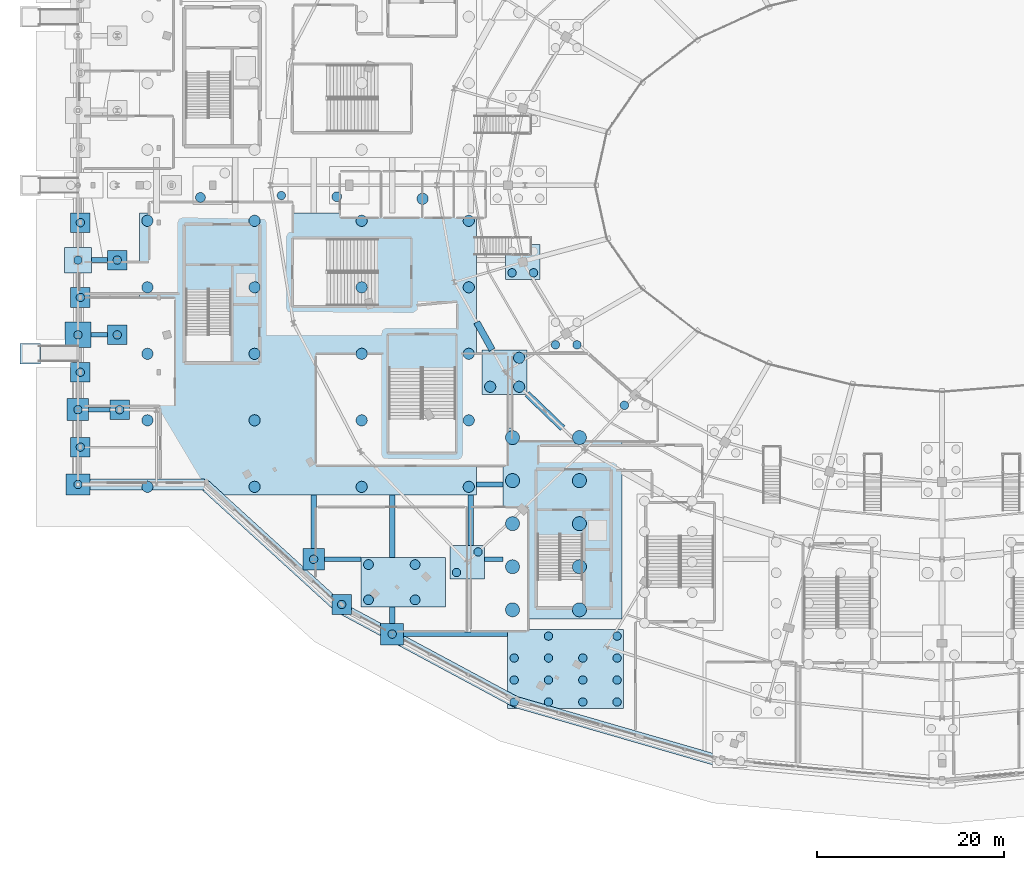
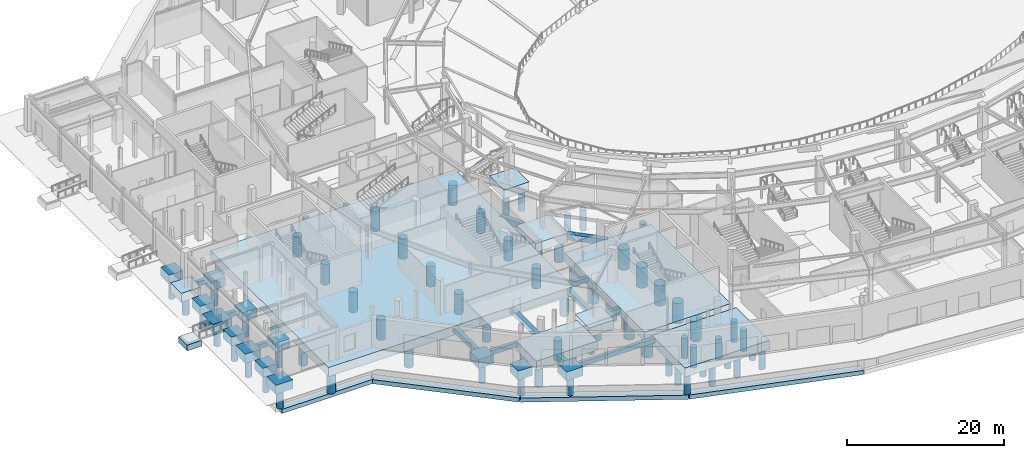
# One storey, part 1 of 93: 76 piles, 39 footings.
"""IFC4 building model written with IfcOpenShell, lengths in metres."""

from ifc_helpers import new_model, si_unit, direction, frame, origin, origin_2d, place, context, subcontext, project, spatial, polyline, rectangle, circle, outline, extrude, material, material_profile, profile_set, type_object, element, save


model = new_model("IFC4")

# Units and contexts
model_context = context("Model", 3, precision=1e-05, world=origin(), true_north=direction((0.0, 1.0)))
body_context = subcontext(model_context, "Body", "Model", "MODEL_VIEW")
ifc_project = project(units=[si_unit("LENGTHUNIT", "METRE"), si_unit("AREAUNIT", "SQUARE_METRE"), si_unit("VOLUMEUNIT", "CUBIC_METRE"), si_unit("PLANEANGLEUNIT", "RADIAN"), si_unit("MASSUNIT", "GRAM", prefix="KILO")], contexts=[model_context])

# Site, building, storey
site_placement = place(None, origin())
site = spatial("IfcSite", under=ifc_project, at=site_placement, CompositionType="ELEMENT")
building_placement = place(site_placement, origin())
building = spatial("IfcBuilding", under=site, at=building_placement, Name="Kalgoora Escarpment Arena", CompositionType="ELEMENT")
storey_placement = place(building_placement, origin())
storey = spatial("IfcBuildingStorey", under=building, at=storey_placement, Name="L00", CompositionType="ELEMENT", Elevation=0.0)

# Footings
ifc_material_1 = material(Name="Concrete N40 (fc' 40 MPa)", Category="concrete")
ifc_material_profile_1 = material_profile(ifc_material_1, rectangle(XDim=0.5, YDim=0.699951171875, at=origin_2d()))
ifc_profile_set_1 = profile_set([ifc_material_profile_1], Name="Concrete N40 (fc' 40 MPa)")
footing_type_1 = type_object("IfcFootingType", Name="FTG-GB700x500", PredefinedType="FOOTING_BEAM", material=ifc_profile_set_1)
footing_1_placement = place(storey_placement, frame((34.830078125, 16.0, -0.35009765625), z_axis=(1.0, 0.0, 0.0), x_axis=(0.0, 1.0, 0.0)))
element("IfcFooting", 1, at=footing_1_placement, inside=storey, type_object=footing_type_1, Name="Ground tie beam GB-072", PredefinedType="FOOTING_BEAM", context=body_context, shape_type="SweptSolid", body=[
    extrude(rectangle(XDim=0.5, YDim=0.699951171875, at=origin_2d()), origin(), (0.0, 0.0, 1.0), 11.119873046875),
])
footing_2_placement = place(storey_placement, frame((26.35009765625, 24.0, -0.35009765625), z_axis=(1.0, 0.0, 0.0), x_axis=(0.0, 1.0, 0.0)))
element("IfcFooting", 2, at=footing_2_placement, inside=storey, type_object=footing_type_1, Name="Ground tie beam GB-078", PredefinedType="FOOTING_BEAM", context=body_context, shape_type="SweptSolid", body=[
    extrude(rectangle(XDim=0.5, YDim=0.699951171875, at=origin_2d()), origin(), (0.0, 0.0, 1.0), 3.93994140625),
])
footing_3_placement = place(storey_placement, frame((43.47998046875, 24.0, -0.35009765625), z_axis=(1.0, 0.0, 0.0), x_axis=(0.0, 1.0, 0.0)))
element("IfcFooting", 3, at=footing_3_placement, inside=storey, type_object=footing_type_1, Name="Ground tie beam GB-079", PredefinedType="FOOTING_BEAM", context=body_context, shape_type="SweptSolid", body=[
    extrude(rectangle(XDim=0.5, YDim=0.699951171875, at=origin_2d()), origin(), (0.0, 0.0, 1.0), 1.989990234375),
])
footing_4_placement = place(storey_placement, frame((42.639892578125, 32.0, -0.35009765625), z_axis=(1.0, 0.0, 0.0), x_axis=(0.0, 1.0, 0.0)))
element("IfcFooting", 4, at=footing_4_placement, inside=storey, type_object=footing_type_1, Name="Ground tie beam GB-085", PredefinedType="FOOTING_BEAM", context=body_context, shape_type="SweptSolid", body=[
    extrude(rectangle(XDim=0.5, YDim=0.699951171875, at=origin_2d()), origin(), (0.0, 0.0, 1.0), 2.830078125),
])
footing_5_placement = place(storey_placement, frame((1.14990234375, 40.0, -0.35009765625), z_axis=(1.0, 0.0, 0.0), x_axis=(0.0, 1.0, 0.0)))
element("IfcFooting", 5, at=footing_5_placement, inside=storey, type_object=footing_type_1, Name="Ground tie beam GB-090", PredefinedType="FOOTING_BEAM", context=body_context, shape_type="SweptSolid", body=[
    extrude(rectangle(XDim=0.5, YDim=0.699951171875, at=origin_2d()), origin(), (0.0, 0.0, 1.0), 2.25),
])
footing_6_placement = place(storey_placement, frame((1.39990234375, 48.0, -0.35009765625), z_axis=(1.0, 0.0, 0.0), x_axis=(0.0, 1.0, 0.0)))
element("IfcFooting", 6, at=footing_6_placement, inside=storey, type_object=footing_type_1, Name="Ground tie beam GB-094", PredefinedType="FOOTING_BEAM", context=body_context, shape_type="SweptSolid", body=[
    extrude(rectangle(XDim=0.5, YDim=0.699951171875, at=origin_2d()), origin(), (0.0, 0.0, 1.0), 1.75),
])
footing_7_placement = place(storey_placement, frame((1.43994140625, 56.0, -0.35009765625), z_axis=(1.0, 0.0, 0.0), x_axis=(0.0, 1.0, 0.0)))
element("IfcFooting", 7, at=footing_7_placement, inside=storey, type_object=footing_type_1, Name="Ground tie beam GB-099", PredefinedType="FOOTING_BEAM", context=body_context, shape_type="SweptSolid", body=[
    extrude(rectangle(XDim=0.5, YDim=0.699951171875, at=origin_2d()), origin(), (0.0, 0.0, 1.0), 1.7099609375),
])
ifc_material_2 = material(Name="Concrete N40 (fc' 40 MPa)", Category="concrete")
ifc_material_profile_2 = material_profile(ifc_material_2, rectangle(XDim=0.60009765625, YDim=0.800048828125, at=origin_2d()))
ifc_profile_set_2 = profile_set([ifc_material_profile_2], Name="Concrete N40 (fc' 40 MPa)")
footing_type_2 = type_object("IfcFootingType", Name="FTG-GB800x600", PredefinedType="FOOTING_BEAM", material=ifc_profile_set_2)
footing_8_placement = place(storey_placement, frame((25.199951171875, 25.139892578125, -0.39990234375), z_axis=(0.0, 1.0, 0.0), x_axis=(-1.0, 0.0, 0.0)))
element("IfcFooting", 8, at=footing_8_placement, inside=storey, type_object=footing_type_2, Name="Ground tie beam GB-025", PredefinedType="FOOTING_BEAM", context=body_context, shape_type="SweptSolid", body=[
    extrude(rectangle(XDim=0.60009765625, YDim=0.800048828125, at=origin_2d()), origin(), (0.0, 0.0, 1.0), 5.760009765625),
])
footing_9_placement = place(storey_placement, frame((33.60009765625, 17.139892578125, -0.39990234375), z_axis=(0.0, 1.0, 0.0), x_axis=(-1.0, 0.0, 0.0)))
element("IfcFooting", 9, at=footing_9_placement, inside=storey, type_object=footing_type_2, Name="Ground tie beam GB-028", PredefinedType="FOOTING_BEAM", context=body_context, shape_type="SweptSolid", body=[
    extrude(rectangle(XDim=0.60009765625, YDim=0.800048828125, at=origin_2d()), origin(), (0.0, 0.0, 1.0), 1.75),
])
footing_10_placement = place(storey_placement, frame((33.60009765625, 24.2099609375, -0.39990234375), z_axis=(0.0, 1.0, 0.0), x_axis=(-1.0, 0.0, 0.0)))
element("IfcFooting", 10, at=footing_10_placement, inside=storey, type_object=footing_type_2, Name="Ground tie beam GB-029", PredefinedType="FOOTING_BEAM", context=body_context, shape_type="SweptSolid", body=[
    extrude(rectangle(XDim=0.60009765625, YDim=0.800048828125, at=origin_2d()), origin(), (0.0, 0.0, 1.0), 6.68994140625),
])
footing_11_placement = place(storey_placement, frame((42.0, 25.489990234375, -0.39990234375), z_axis=(0.0, 1.0, 0.0), x_axis=(-1.0, 0.0, 0.0)))
element("IfcFooting", 11, at=footing_11_placement, inside=storey, type_object=footing_type_2, Name="Ground tie beam GB-033", PredefinedType="FOOTING_BEAM", context=body_context, shape_type="SweptSolid", body=[
    extrude(rectangle(XDim=0.60009765625, YDim=0.800048828125, at=origin_2d()), origin(), (0.0, 0.0, 1.0), 5.409912109375),
])
ifc_material_3 = material(Name="Concrete N40 (fc' 40 MPa)", Category="concrete")
ifc_material_profile_3 = material_profile(ifc_material_3, rectangle(XDim=0.699951171875, YDim=0.89990234375, at=origin_2d()))
ifc_profile_set_3 = profile_set([ifc_material_profile_3], Name="Concrete N40 (fc' 40 MPa)")
footing_type_3 = type_object("IfcFootingType", Name="FTG-GB900x700", PredefinedType="FOOTING_BEAM", material=ifc_profile_set_3)
footing_12_placement = place(storey_placement, frame((42.639892578125, 49.355224609375, -0.449951171875), z_axis=(0.488065357667, -0.872807084438, 0.0), x_axis=(0.872807084438, 0.488065357667, 0.0)))
element("IfcFooting", 12, at=footing_12_placement, inside=storey, type_object=footing_type_3, Name="Ground tie beam GB-012", PredefinedType="FOOTING_BEAM", context=body_context, shape_type="SweptSolid", body=[
    extrude(rectangle(XDim=0.699951171875, YDim=0.89990234375, at=origin_2d()), origin(), (0.0, 0.0, 1.0), 3.385986328125),
])
footing_13_placement = place(storey_placement, frame((48.030029296875, 41.6875, -0.449951171875), z_axis=(0.719457224387, -0.694536753727, 0.0), x_axis=(0.694536753727, 0.719457224387, 0.0)))
element("IfcFooting", 13, at=footing_13_placement, inside=storey, type_object=footing_type_3, Name="Ground tie beam GB-013", PredefinedType="FOOTING_BEAM", context=body_context, shape_type="SweptSolid", body=[
    extrude(rectangle(XDim=0.699951171875, YDim=0.89990234375, at=origin_2d()), origin(), (0.0, 0.0, 1.0), 5.280517578125),
])
ifc_material_4 = material(Name="Concrete N40 (fc' 40 MPa)", Category="concrete")
footing_type_4 = type_object("IfcFootingType", Name="FTG-PC-1240x845", PredefinedType="PILE_CAP", material=ifc_material_4)
footing_14_placement = place(storey_placement, frame((52.14990234375, 12.264892578125, -1.39990234375), z_axis=(0.0, 0.0, 1.0), x_axis=(1.0, 0.0, 0.0)))
element("IfcFooting", 14, at=footing_14_placement, inside=storey, type_object=footing_type_4, Name="Pile cap FND-COL-RCONC2-R17", PredefinedType="PILE_CAP", context=body_context, shape_type="SweptSolid", body=[
    extrude(rectangle(XDim=12.39990234375, YDim=8.449951171875, at=origin_2d()), origin(), (0.0, 0.0, 1.0), 1.39990234375),
])
ifc_material_5 = material(Name="Concrete N40 (fc' 40 MPa)", Category="concrete")
footing_type_5 = type_object("IfcFootingType", Name="FTG-PC-1273x2042", PredefinedType="PILE_CAP", material=ifc_material_5)
footing_15_placement = place(storey_placement, frame((51.8349609375, 27.81005859375, -1.39990234375), z_axis=(0.0, 0.0, 1.0), x_axis=(1.0, 0.0, 0.0)))
element("IfcFooting", 15, at=footing_15_placement, inside=storey, type_object=footing_type_5, Name="Pile cap FND-RAFT-C5", PredefinedType="PILE_CAP", context=body_context, shape_type="SweptSolid", body=[
    extrude(rectangle(XDim=12.72998046875, YDim=20.419921875, at=origin_2d()), origin(), (0.0, 0.0, 1.0), 1.39990234375),
])
ifc_material_6 = material(Name="Concrete N40 (fc' 40 MPa)", Category="concrete")
footing_type_6 = type_object("IfcFootingType", Name="FTG-PC-210x210", PredefinedType="PILE_CAP", material=ifc_material_6)
for number, where, z_axis, x_axis, name in (
    (16, (4.199951171875, 48.0, -1.39990234375), (0.0, 0.0, 1.0), (1.0, 0.0, 0.0), "Pile cap FND-COL-CAN-IN-48"),
    (17, (4.199951171875, 56.0, -1.39990234375), (0.0, 0.0, 1.0), (1.0, 0.0, 0.0), "Pile cap FND-COL-CAN-IN-56"),
    (18, (0.25, 36.0, -1.39990234375), (0.0, 0.0, 1.0), (1.0, 0.0, 0.0), "Pile cap FND-PIL-001"),
    (19, (0.25, 44.0, -1.39990234375), (0.0, 0.0, 1.0), (1.0, 0.0, 0.0), "Pile cap FND-PIL-002"),
    (20, (0.25, 52.0, -1.39990234375), (0.0, 0.0, 1.0), (1.0, 0.0, 0.0), "Pile cap FND-PIL-003"),
    (21, (0.25, 60.0, -1.39990234375), (0.0, 0.0, 1.0), (1.0, 0.0, 0.0), "Pile cap FND-PIL-004"),
    (22, (4.449951171875, 40.0, -1.39990234375), (0.0, 0.0, 1.0), (1.0, 0.0, 0.0), "Pile cap FND-PIL-009"),
):
    element("IfcFooting", number, at=place(storey_placement, frame(where, z_axis=z_axis, x_axis=x_axis)), inside=storey, type_object=footing_type_6, Name=name, PredefinedType="PILE_CAP", context=body_context, shape_type="SweptSolid", body=[
        extrude(rectangle(XDim=2.10009765625, YDim=2.10009765625, at=origin_2d()), origin(), (0.0, 0.0, 1.0), 1.39990234375),
    ])
ifc_material_7 = material(Name="Concrete N40 (fc' 40 MPa)", Category="concrete")
footing_type_7 = type_object("IfcFootingType", Name="FTG-PC-211x210", PredefinedType="PILE_CAP", material=ifc_material_7)
footing_16_placement = place(storey_placement, frame((28.195068359375, 19.169921875, -1.39990234375), z_axis=(0.0, 0.0, 1.0), x_axis=(1.0, 0.0, 0.0)))
element("IfcFooting", 23, at=footing_16_placement, inside=storey, type_object=footing_type_7, Name="Pile cap FND-PIL-037", PredefinedType="PILE_CAP", context=body_context, shape_type="SweptSolid", body=[
    extrude(rectangle(XDim=2.110107421875, YDim=2.10009765625, at=origin_2d()), origin(), (0.0, 0.0, 1.0), 1.39990234375),
])
ifc_material_8 = material(Name="Concrete N40 (fc' 40 MPa)", Category="concrete")
footing_type_8 = type_object("IfcFootingType", Name="FTG-PC-230x228", PredefinedType="PILE_CAP", material=ifc_material_8)
footing_17_placement = place(storey_placement, frame((25.199951171875, 24.0, -1.39990234375), z_axis=(0.0, 0.0, 1.0), x_axis=(1.0, 0.0, 0.0)))
element("IfcFooting", 24, at=footing_17_placement, inside=storey, type_object=footing_type_8, Name="Pile cap FND-COL-G4-D", PredefinedType="PILE_CAP", context=body_context, shape_type="SweptSolid", body=[
    extrude(rectangle(XDim=2.300048828125, YDim=2.280029296875, at=origin_2d()), origin(), (0.0, 0.0, 1.0), 1.39990234375),
])
ifc_material_9 = material(Name="Concrete N40 (fc' 40 MPa)", Category="concrete")
footing_type_9 = type_object("IfcFootingType", Name="FTG-PC-230x236", PredefinedType="PILE_CAP", material=ifc_material_9)
footing_18_placement = place(storey_placement, frame((0.0, 40.0, -1.39990234375), z_axis=(0.0, 0.0, 1.0), x_axis=(1.0, 0.0, 0.0)))
element("IfcFooting", 25, at=footing_18_placement, inside=storey, type_object=footing_type_9, Name="Pile cap FND-COL-G1-F", PredefinedType="PILE_CAP", context=body_context, shape_type="SweptSolid", body=[
    extrude(rectangle(XDim=2.300048828125, YDim=2.360107421875, at=origin_2d()), origin(), (0.0, 0.0, 1.0), 1.39990234375),
])
ifc_material_10 = material(Name="Concrete N40 (fc' 40 MPa)", Category="concrete")
footing_type_10 = type_object("IfcFootingType", Name="FTG-PC-246x228", PredefinedType="PILE_CAP", material=ifc_material_10)
footing_19_placement = place(storey_placement, frame((33.60009765625, 16.0, -1.39990234375), z_axis=(0.0, 0.0, 1.0), x_axis=(1.0, 0.0, 0.0)))
element("IfcFooting", 26, at=footing_19_placement, inside=storey, type_object=footing_type_10, Name="Pile cap FND-COL-G5-C", PredefinedType="PILE_CAP", context=body_context, shape_type="SweptSolid", body=[
    extrude(rectangle(XDim=2.4599609375, YDim=2.280029296875, at=origin_2d()), origin(), (0.0, 0.0, 1.0), 1.39990234375),
])
ifc_material_11 = material(Name="Concrete N40 (fc' 40 MPa)", Category="concrete")
footing_type_11 = type_object("IfcFootingType", Name="FTG-PC-254x228", PredefinedType="PILE_CAP", material=ifc_material_11)
footing_20_placement = place(storey_placement, frame((0.0, 32.0, -1.39990234375), z_axis=(0.0, 0.0, 1.0), x_axis=(1.0, 0.0, 0.0)))
element("IfcFooting", 27, at=footing_20_placement, inside=storey, type_object=footing_type_11, Name="Pile cap FND-COL-G1-E", PredefinedType="PILE_CAP", context=body_context, shape_type="SweptSolid", body=[
    extrude(rectangle(XDim=2.5400390625, YDim=2.280029296875, at=origin_2d()), origin(), (0.0, 0.0, 1.0), 1.39990234375),
])
ifc_material_12 = material(Name="Concrete N40 (fc' 40 MPa)", Category="concrete")
footing_type_12 = type_object("IfcFootingType", Name="FTG-PC-280x274", PredefinedType="PILE_CAP", material=ifc_material_12)
footing_21_placement = place(storey_placement, frame((0.0, 48.0, -1.39990234375), z_axis=(0.0, 0.0, 1.0), x_axis=(1.0, 0.0, 0.0)))
element("IfcFooting", 28, at=footing_21_placement, inside=storey, type_object=footing_type_12, Name="Pile cap FND-COL-G1-G", PredefinedType="PILE_CAP", context=body_context, shape_type="SweptSolid", body=[
    extrude(rectangle(XDim=2.800048828125, YDim=2.739990234375, at=origin_2d()), origin(), (0.0, 0.0, 1.0), 1.39990234375),
])
ifc_material_13 = material(Name="Concrete N40 (fc' 40 MPa)", Category="concrete")
footing_type_13 = type_object("IfcFootingType", Name="FTG-PC-288x274", PredefinedType="PILE_CAP", material=ifc_material_13)
footing_22_placement = place(storey_placement, frame((0.0, 56.0, -1.39990234375), z_axis=(0.0, 0.0, 1.0), x_axis=(1.0, 0.0, 0.0)))
element("IfcFooting", 29, at=footing_22_placement, inside=storey, type_object=footing_type_13, Name="Pile cap FND-COL-G1-H", PredefinedType="PILE_CAP", context=body_context, shape_type="SweptSolid", body=[
    extrude(rectangle(XDim=2.8798828125, YDim=2.739990234375, at=origin_2d()), origin(), (0.0, 0.0, 1.0), 1.39990234375),
])
ifc_material_14 = material(Name="Concrete N40 (fc' 40 MPa)", Category="concrete")
footing_type_14 = type_object("IfcFootingType", Name="FTG-PC-3606x3015", PredefinedType="PILE_CAP", material=ifc_material_14)
footing_23_placement = place(storey_placement, frame((24.610107421875, 45.97509765625, -1.39990234375), z_axis=(0.0, 0.0, 1.0), x_axis=(1.0, 0.0, 0.0)))
element("IfcFooting", 30, at=footing_23_placement, inside=storey, type_object=footing_type_14, Name="Pile cap FND-RAFT-C2", PredefinedType="PILE_CAP", context=body_context, shape_type="SweptSolid", body=[
    extrude(rectangle(XDim=36.06005859375, YDim=30.14990234375, at=origin_2d()), origin(), (0.0, 0.0, 1.0), 1.39990234375),
])
ifc_material_15 = material(Name="Concrete N40 (fc' 40 MPa)", Category="concrete")
footing_type_15 = type_object("IfcFootingType", Name="FTG-PC-370x360", PredefinedType="PILE_CAP", material=ifc_material_15)
footing_24_placement = place(storey_placement, frame((41.6298828125, 23.68994140625, -1.39990234375), z_axis=(0.0, 0.0, 1.0), x_axis=(1.0, 0.0, 0.0)))
element("IfcFooting", 31, at=footing_24_placement, inside=storey, type_object=footing_type_15, Name="Pile cap FND-COL-RCONC2-R16", PredefinedType="PILE_CAP", context=body_context, shape_type="SweptSolid", body=[
    extrude(rectangle(XDim=3.699951171875, YDim=3.60009765625, at=origin_2d()), origin(), (0.0, 0.0, 1.0), 1.39990234375),
])
ifc_material_16 = material(Name="Concrete N40 (fc' 40 MPa)", Category="concrete")
footing_type_16 = type_object("IfcFootingType", Name="FTG-PC-370x370", PredefinedType="PILE_CAP", material=ifc_material_16)
footing_25_placement = place(storey_placement, frame((47.570068359375, 55.7900390625, -1.39990234375), z_axis=(0.0, 0.0, 1.0), x_axis=(1.0, 0.0, 0.0)))
element("IfcFooting", 32, at=footing_25_placement, inside=storey, type_object=footing_type_16, Name="Pile cap FND-COL-RMID-R14", PredefinedType="PILE_CAP", context=body_context, shape_type="SweptSolid", body=[
    extrude(rectangle(XDim=3.699951171875, YDim=3.699951171875, at=origin_2d()), origin(), (0.0, 0.0, 1.0), 1.39990234375),
])
ifc_material_17 = material(Name="Concrete N40 (fc' 40 MPa)", Category="concrete")
footing_type_17 = type_object("IfcFootingType", Name="FTG-PC-480x480", PredefinedType="PILE_CAP", material=ifc_material_17)
footing_26_placement = place(storey_placement, frame((45.6298828125, 44.0, -1.39990234375), z_axis=(0.0, 0.0, 1.0), x_axis=(1.0, 0.0, 0.0)))
element("IfcFooting", 33, at=footing_26_placement, inside=storey, type_object=footing_type_17, Name="Pile cap FND-COL-RMAIN-R15", PredefinedType="PILE_CAP", context=body_context, shape_type="SweptSolid", body=[
    extrude(rectangle(XDim=4.800048828125, YDim=4.800048828125, at=origin_2d()), origin(), (0.0, 0.0, 1.0), 1.39990234375),
])
ifc_material_18 = material(Name="Concrete N40 (fc' 40 MPa)", Category="concrete")
footing_type_18 = type_object("IfcFootingType", Name="FTG-PC-903x532", PredefinedType="PILE_CAP", material=ifc_material_18)
footing_27_placement = place(storey_placement, frame((34.804931640625, 21.550048828125, -1.39990234375), z_axis=(0.0, 0.0, 1.0), x_axis=(1.0, 0.0, 0.0)))
element("IfcFooting", 34, at=footing_27_placement, inside=storey, type_object=footing_type_18, Name="Pile cap FND-COL-RBASE1-R16", PredefinedType="PILE_CAP", context=body_context, shape_type="SweptSolid", body=[
    extrude(rectangle(XDim=9.030029296875, YDim=5.320068359375, at=origin_2d()), origin(), (0.0, 0.0, 1.0), 1.39990234375),
])
ifc_material_19 = material(Name="Concrete N40 (fc' 40 MPa)", Category="concrete")
footing_type_19 = type_object("IfcFootingType", Name="FTG-RAMP-PAD", PredefinedType="PAD_FOOTING", material=ifc_material_19)
footing_28_placement = place(storey_placement, frame((-5.10009765625, 46.0, -1.39990234375), z_axis=(0.0, 0.0, 1.0), x_axis=(1.0, 0.0, 0.0)))
element("IfcFooting", 35, at=footing_28_placement, inside=storey, type_object=footing_type_19, Name="Accessible ramp RMP-01 landing pad footing", PredefinedType="PAD_FOOTING", context=body_context, shape_type="SweptSolid", body=[
    extrude(rectangle(XDim=2.199951171875, YDim=2.199951171875, at=origin_2d()), origin(), (0.0, 0.0, 1.0), 0.89990234375),
])
ifc_material_20 = material(Name="Concrete N40 (fc' 40 MPa)", Category="concrete")
footing_type_20 = type_object("IfcFootingType", Name="FTG-STRIP-1200", PredefinedType="STRIP_FOOTING", material=ifc_material_20)
footing_29_placement = place(storey_placement, frame((0.0, 0.0, -5.14990234375)))
element("IfcFooting", 36, at=footing_29_placement, inside=storey, type_object=footing_type_20, Name="Escarpment retaining strip footing SF-05", PredefinedType="STRIP_FOOTING", context=body_context, shape_type="SweptSolid", body=[
    extrude(outline(polyline([(68.962646484375, 2.9501953125), (46.967041015625, 9.323974609375), (46.633056640625, 8.17138671875), (68.628662109375, 1.797607421875), (68.962646484375, 2.9501953125)])), origin(), (0.0, 0.0, 1.0), 0.64990234375),
])
footing_30_placement = place(storey_placement, frame((0.0, 0.0, -5.14990234375)))
element("IfcFooting", 37, at=footing_30_placement, inside=storey, type_object=footing_type_20, Name="Escarpment retaining strip footing SF-06", PredefinedType="STRIP_FOOTING", context=body_context, shape_type="SweptSolid", body=[
    extrude(outline(polyline([(47.083740234375, 9.2763671875), (28.19580078125, 19.415283203125), (27.628173828125, 18.35791015625), (46.51611328125, 8.218994140625), (47.083740234375, 9.2763671875)])), origin(), (0.0, 0.0, 1.0), 0.64990234375),
])
footing_31_placement = place(storey_placement, frame((0.0, 0.0, -5.14990234375)))
element("IfcFooting", 38, at=footing_31_placement, inside=storey, type_object=footing_type_20, Name="Escarpment retaining strip footing SF-07", PredefinedType="STRIP_FOOTING", context=body_context, shape_type="SweptSolid", body=[
    extrude(outline(polyline([(28.316162109375, 19.330078125), (13.932373046875, 32.443359375), (13.1240234375, 31.556640625), (27.5078125, 18.443115234375), (28.316162109375, 19.330078125)])), origin(), (0.0, 0.0, 1.0), 0.64990234375),
])
footing_32_placement = place(storey_placement, frame((0.0, 0.0, -5.14990234375)))
element("IfcFooting", 39, at=footing_32_placement, inside=storey, type_object=footing_type_20, Name="Escarpment retaining strip footing SF-08", PredefinedType="STRIP_FOOTING", context=body_context, shape_type="SweptSolid", body=[
    extrude(outline(polyline([(13.5283203125, 32.60009765625), (0.0, 32.60009765625), (0.0, 31.39990234375), (13.5283203125, 31.39990234375), (13.5283203125, 32.60009765625)])), origin(), (0.0, 0.0, 1.0), 0.64990234375),
])

# Piles
ifc_material_21 = material(Name="Concrete N50 (fc' 50 MPa)", Category="concrete")
ifc_material_profile_4 = material_profile(ifc_material_21, circle(Radius=0.52490234375, at=origin_2d()))
ifc_profile_set_4 = profile_set([ifc_material_profile_4], Name="Concrete N50 (fc' 50 MPa)")
pile_type_1 = type_object("IfcPileType", Name="PIL-PILE-1050", PredefinedType="BORED", material=ifc_profile_set_4)
for number, where, z_axis, x_axis, name in (
    (40, (27.675048828125, 62.77490234375, -1.300048828125), (0.0, 0.0, -1.0), (1.0, 0.0, 0.0), "Bored pile FND-COL-RCONC1-R13 P01"),
    (41, (13.094970703125, 62.695068359375, -1.300048828125), (0.0, 0.0, -1.0), (1.0, 0.0, 0.0), "Bored pile FND-COL-RBASE1-R13 P01"),
    (42, (31.06494140625, 19.6650390625, -1.300048828125), (0.0, 0.0, -1.0), (1.0, 0.0, 0.0), "Bored pile FND-COL-RBASE1-R16 P01"),
    (43, (31.06494140625, 23.43505859375, -1.300048828125), (0.0, 0.0, -1.0), (1.0, 0.0, 0.0), "Bored pile FND-COL-RBASE1-R16 P02"),
    (44, (36.0517578125, 19.6650390625, -1.300048828125), (0.0, 0.0, -1.0), (1.0, 0.0, 0.0), "Bored pile FND-COL-RBASE1-R16 P03"),
    (45, (36.0517578125, 23.43505859375, -1.300048828125), (0.0, 0.0, -1.0), (1.0, 0.0, 0.0), "Bored pile FND-COL-RBASE1-R16 P04"),
):
    element("IfcPile", number, at=place(storey_placement, frame(where, z_axis=z_axis, x_axis=x_axis)), inside=storey, type_object=pile_type_1, Name=name, PredefinedType="BORED", context=body_context, shape_type="SweptSolid", body=[
        extrude(circle(Radius=0.52490234375, at=origin_2d()), origin(), (0.0, 0.0, 1.0), 3.199951171875),
    ])
ifc_material_22 = material(Name="Concrete N50 (fc' 50 MPa)", Category="concrete")
ifc_material_profile_5 = material_profile(ifc_material_22, circle(Radius=0.60009765625, at=origin_2d()))
ifc_profile_set_5 = profile_set([ifc_material_profile_5], Name="Concrete N50 (fc' 50 MPa)")
pile_type_2 = type_object("IfcPileType", Name="PIL-PILE-1200", PredefinedType="BORED", material=ifc_profile_set_5)
for number, where, z_axis, x_axis, name in (
    (46, (7.429931640625, 31.75, -1.300048828125), (0.0, 0.0, -1.0), (1.0, 0.0, 0.0), "Bored pile FND-RAFT-C2 P01"),
    (47, (7.429931640625, 38.862548828125, -1.300048828125), (0.0, 0.0, -1.0), (1.0, 0.0, 0.0), "Bored pile FND-RAFT-C2 P02"),
    (48, (7.429931640625, 45.97509765625, -1.300048828125), (0.0, 0.0, -1.0), (1.0, 0.0, 0.0), "Bored pile FND-RAFT-C2 P03"),
    (49, (7.429931640625, 53.08740234375, -1.300048828125), (0.0, 0.0, -1.0), (1.0, 0.0, 0.0), "Bored pile FND-RAFT-C2 P04"),
    (50, (7.429931640625, 60.199951171875, -1.300048828125), (0.0, 0.0, -1.0), (1.0, 0.0, 0.0), "Bored pile FND-RAFT-C2 P05"),
    (51, (18.88330078125, 31.75, -1.300048828125), (0.0, 0.0, -1.0), (1.0, 0.0, 0.0), "Bored pile FND-RAFT-C2 P06"),
    (52, (18.88330078125, 38.862548828125, -1.300048828125), (0.0, 0.0, -1.0), (1.0, 0.0, 0.0), "Bored pile FND-RAFT-C2 P07"),
    (53, (18.88330078125, 45.97509765625, -1.300048828125), (0.0, 0.0, -1.0), (1.0, 0.0, 0.0), "Bored pile FND-RAFT-C2 P08"),
    (54, (18.88330078125, 53.08740234375, -1.300048828125), (0.0, 0.0, -1.0), (1.0, 0.0, 0.0), "Bored pile FND-RAFT-C2 P09"),
    (55, (18.88330078125, 60.199951171875, -1.300048828125), (0.0, 0.0, -1.0), (1.0, 0.0, 0.0), "Bored pile FND-RAFT-C2 P10"),
    (56, (30.336669921875, 31.75, -1.300048828125), (0.0, 0.0, -1.0), (1.0, 0.0, 0.0), "Bored pile FND-RAFT-C2 P11"),
    (57, (30.336669921875, 38.862548828125, -1.300048828125), (0.0, 0.0, -1.0), (1.0, 0.0, 0.0), "Bored pile FND-RAFT-C2 P12"),
    (58, (30.336669921875, 45.97509765625, -1.300048828125), (0.0, 0.0, -1.0), (1.0, 0.0, 0.0), "Bored pile FND-RAFT-C2 P13"),
    (59, (30.336669921875, 53.08740234375, -1.300048828125), (0.0, 0.0, -1.0), (1.0, 0.0, 0.0), "Bored pile FND-RAFT-C2 P14"),
    (60, (30.336669921875, 60.199951171875, -1.300048828125), (0.0, 0.0, -1.0), (1.0, 0.0, 0.0), "Bored pile FND-RAFT-C2 P15"),
    (61, (41.7900390625, 31.75, -1.300048828125), (0.0, 0.0, -1.0), (1.0, 0.0, 0.0), "Bored pile FND-RAFT-C2 P16"),
    (62, (41.7900390625, 38.862548828125, -1.300048828125), (0.0, 0.0, -1.0), (1.0, 0.0, 0.0), "Bored pile FND-RAFT-C2 P17"),
    (63, (41.7900390625, 45.97509765625, -1.300048828125), (0.0, 0.0, -1.0), (1.0, 0.0, 0.0), "Bored pile FND-RAFT-C2 P18"),
    (64, (41.7900390625, 53.08740234375, -1.300048828125), (0.0, 0.0, -1.0), (1.0, 0.0, 0.0), "Bored pile FND-RAFT-C2 P19"),
    (65, (41.7900390625, 60.199951171875, -1.300048828125), (0.0, 0.0, -1.0), (1.0, 0.0, 0.0), "Bored pile FND-RAFT-C2 P20"),
    (66, (36.85009765625, 62.550048828125, -1.300048828125), (0.0, 0.0, -1.0), (1.0, 0.0, 0.0), "Bored pile FND-COL-RMAIN-R13 P01"),
    (67, (44.080078125, 42.449951171875, -1.300048828125), (0.0, 0.0, -1.0), (1.0, 0.0, 0.0), "Bored pile FND-COL-RMAIN-R15 P01"),
    (68, (47.179931640625, 42.449951171875, -1.300048828125), (0.0, 0.0, -1.0), (1.0, 0.0, 0.0), "Bored pile FND-COL-RMAIN-R15 P02"),
    (69, (47.179931640625, 45.550048828125, -1.300048828125), (0.0, 0.0, -1.0), (1.0, 0.0, 0.0), "Bored pile FND-COL-RMAIN-R15 P03"),
):
    element("IfcPile", number, at=place(storey_placement, frame(where, z_axis=z_axis, x_axis=x_axis)), inside=storey, type_object=pile_type_2, Name=name, PredefinedType="BORED", context=body_context, shape_type="SweptSolid", body=[
        extrude(circle(Radius=0.60009765625, at=origin_2d()), origin(), (0.0, 0.0, 1.0), 3.199951171875),
    ])
ifc_material_23 = material(Name="Concrete N50 (fc' 50 MPa)", Category="concrete")
ifc_material_profile_6 = material_profile(ifc_material_23, circle(Radius=0.75, at=origin_2d()))
ifc_profile_set_6 = profile_set([ifc_material_profile_6], Name="Concrete N50 (fc' 50 MPa)")
pile_type_3 = type_object("IfcPileType", Name="PIL-PILE-1500", PredefinedType="BORED", material=ifc_profile_set_6)
for number, where, z_axis, x_axis, name in (
    (70, (46.469970703125, 18.60009765625, -1.300048828125), (0.0, 0.0, -1.0), (1.0, 0.0, 0.0), "Bored pile FND-RAFT-C5 P01"),
    (71, (46.469970703125, 23.205078125, -1.300048828125), (0.0, 0.0, -1.0), (1.0, 0.0, 0.0), "Bored pile FND-RAFT-C5 P02"),
    (72, (46.469970703125, 27.81005859375, -1.300048828125), (0.0, 0.0, -1.0), (1.0, 0.0, 0.0), "Bored pile FND-RAFT-C5 P03"),
    (73, (46.469970703125, 32.4150390625, -1.300048828125), (0.0, 0.0, -1.0), (1.0, 0.0, 0.0), "Bored pile FND-RAFT-C5 P04"),
    (74, (46.469970703125, 37.02001953125, -1.300048828125), (0.0, 0.0, -1.0), (1.0, 0.0, 0.0), "Bored pile FND-RAFT-C5 P05"),
    (75, (53.623291015625, 18.60009765625, -1.300048828125), (0.0, 0.0, -1.0), (1.0, 0.0, 0.0), "Bored pile FND-RAFT-C5 P06"),
    (76, (53.623291015625, 23.205078125, -1.300048828125), (0.0, 0.0, -1.0), (1.0, 0.0, 0.0), "Bored pile FND-RAFT-C5 P07"),
    (77, (53.623291015625, 27.81005859375, -1.300048828125), (0.0, 0.0, -1.0), (1.0, 0.0, 0.0), "Bored pile FND-RAFT-C5 P08"),
    (78, (53.623291015625, 32.4150390625, -1.300048828125), (0.0, 0.0, -1.0), (1.0, 0.0, 0.0), "Bored pile FND-RAFT-C5 P09"),
    (79, (53.623291015625, 37.02001953125, -1.300048828125), (0.0, 0.0, -1.0), (1.0, 0.0, 0.0), "Bored pile FND-RAFT-C5 P10"),
):
    element("IfcPile", number, at=place(storey_placement, frame(where, z_axis=z_axis, x_axis=x_axis)), inside=storey, type_object=pile_type_3, Name=name, PredefinedType="BORED", context=body_context, shape_type="SweptSolid", body=[
        extrude(circle(Radius=0.75, at=origin_2d()), origin(), (0.0, 0.0, 1.0), 3.199951171875),
    ])
ifc_material_24 = material(Name="Concrete N50 (fc' 50 MPa)", Category="concrete")
ifc_material_profile_7 = material_profile(ifc_material_24, circle(Radius=0.449951171875, at=origin_2d()))
ifc_profile_set_7 = profile_set([ifc_material_profile_7], Name="Concrete N50 (fc' 50 MPa)")
pile_type_4 = type_object("IfcPileType", Name="PIL-PILE-900", PredefinedType="BORED", material=ifc_profile_set_7)
for number, where, z_axis, x_axis, name in (
    (80, (46.419921875, 54.639892578125, -1.300048828125), (0.0, 0.0, -1.0), (1.0, 0.0, 0.0), "Bored pile FND-COL-RMID-R14 P01"),
    (81, (48.719970703125, 54.639892578125, -1.300048828125), (0.0, 0.0, -1.0), (1.0, 0.0, 0.0), "Bored pile FND-COL-RMID-R14 P03"),
    (82, (51.06005859375, 46.93994140625, -1.300048828125), (0.0, 0.0, -1.0), (1.0, 0.0, 0.0), "Bored pile FND-COL-RMID-R15 P01"),
    (83, (53.360107421875, 46.93994140625, -1.300048828125), (0.0, 0.0, -1.0), (1.0, 0.0, 0.0), "Bored pile FND-COL-RMID-R15 P03"),
    (84, (58.429931640625, 40.469970703125, -1.300048828125), (0.0, 0.0, -1.0), (1.0, 0.0, 0.0), "Bored pile FND-COL-RMID-R16 P01"),
    (85, (21.75, 62.89990234375, -1.300048828125), (0.0, 0.0, -1.0), (1.0, 0.0, 0.0), "Bored pile FND-COL-RCONC2-R13 P01"),
    (86, (40.47998046875, 22.590087890625, -1.300048828125), (0.0, 0.0, -1.0), (1.0, 0.0, 0.0), "Bored pile FND-COL-RCONC2-R16 P01"),
    (87, (42.780029296875, 24.7900390625, -1.300048828125), (0.0, 0.0, -1.0), (1.0, 0.0, 0.0), "Bored pile FND-COL-RCONC2-R16 P02"),
    (88, (46.64990234375, 8.739990234375, -1.300048828125), (0.0, 0.0, -1.0), (1.0, 0.0, 0.0), "Bored pile FND-COL-RCONC2-R17 P01"),
    (89, (46.64990234375, 11.090087890625, -1.300048828125), (0.0, 0.0, -1.0), (1.0, 0.0, 0.0), "Bored pile FND-COL-RCONC2-R17 P02"),
    (90, (46.64990234375, 13.43994140625, -1.300048828125), (0.0, 0.0, -1.0), (1.0, 0.0, 0.0), "Bored pile FND-COL-RCONC2-R17 P03"),
    (91, (50.316650390625, 8.739990234375, -1.300048828125), (0.0, 0.0, -1.0), (1.0, 0.0, 0.0), "Bored pile FND-COL-RCONC2-R17 P04"),
    (92, (50.316650390625, 11.090087890625, -1.300048828125), (0.0, 0.0, -1.0), (1.0, 0.0, 0.0), "Bored pile FND-COL-RCONC2-R17 P05"),
    (93, (50.316650390625, 13.43994140625, -1.300048828125), (0.0, 0.0, -1.0), (1.0, 0.0, 0.0), "Bored pile FND-COL-RCONC2-R17 P06"),
    (94, (50.316650390625, 15.7900390625, -1.300048828125), (0.0, 0.0, -1.0), (1.0, 0.0, 0.0), "Bored pile FND-COL-RCONC2-R17 P07"),
    (95, (53.9833984375, 8.739990234375, -1.300048828125), (0.0, 0.0, -1.0), (1.0, 0.0, 0.0), "Bored pile FND-COL-RCONC2-R17 P08"),
    (96, (53.9833984375, 11.090087890625, -1.300048828125), (0.0, 0.0, -1.0), (1.0, 0.0, 0.0), "Bored pile FND-COL-RCONC2-R17 P09"),
    (97, (53.9833984375, 13.43994140625, -1.300048828125), (0.0, 0.0, -1.0), (1.0, 0.0, 0.0), "Bored pile FND-COL-RCONC2-R17 P10"),
    (98, (57.64990234375, 8.739990234375, -1.300048828125), (0.0, 0.0, -1.0), (1.0, 0.0, 0.0), "Bored pile FND-COL-RCONC2-R17 P11"),
    (99, (57.64990234375, 11.090087890625, -1.300048828125), (0.0, 0.0, -1.0), (1.0, 0.0, 0.0), "Bored pile FND-COL-RCONC2-R17 P12"),
    (100, (57.64990234375, 13.43994140625, -1.300048828125), (0.0, 0.0, -1.0), (1.0, 0.0, 0.0), "Bored pile FND-COL-RCONC2-R17 P13"),
    (101, (57.64990234375, 15.7900390625, -1.300048828125), (0.0, 0.0, -1.0), (1.0, 0.0, 0.0), "Bored pile FND-COL-RCONC2-R17 P14"),
    (102, (0.0, 32.0, -1.300048828125), (0.0, 0.0, -1.0), (1.0, 0.0, 0.0), "Bored pile FND-COL-G1-E P01"),
    (103, (0.0, 40.0, -1.300048828125), (0.0, 0.0, -1.0), (1.0, 0.0, 0.0), "Bored pile FND-COL-G1-F P01"),
    (104, (0.0, 48.0, -1.300048828125), (0.0, 0.0, -1.0), (1.0, 0.0, 0.0), "Bored pile FND-COL-G1-G P01"),
    (105, (0.0, 56.0, -1.300048828125), (0.0, 0.0, -1.0), (1.0, 0.0, 0.0), "Bored pile FND-COL-G1-H P01"),
    (106, (25.199951171875, 24.0, -1.300048828125), (0.0, 0.0, -1.0), (1.0, 0.0, 0.0), "Bored pile FND-COL-G4-D P01"),
    (107, (33.60009765625, 16.0, -1.300048828125), (0.0, 0.0, -1.0), (1.0, 0.0, 0.0), "Bored pile FND-COL-G5-C P01"),
    (108, (4.199951171875, 48.0, -1.300048828125), (0.0, 0.0, -1.0), (1.0, 0.0, 0.0), "Bored pile FND-COL-CAN-IN-48 P01"),
    (109, (4.199951171875, 56.0, -1.300048828125), (0.0, 0.0, -1.0), (1.0, 0.0, 0.0), "Bored pile FND-COL-CAN-IN-56 P01"),
    (110, (0.25, 36.0, -1.300048828125), (0.0, 0.0, -1.0), (1.0, 0.0, 0.0), "Bored pile FND-PIL-001 P01"),
    (111, (0.25, 44.0, -1.300048828125), (0.0, 0.0, -1.0), (1.0, 0.0, 0.0), "Bored pile FND-PIL-002 P01"),
    (112, (0.25, 52.0, -1.300048828125), (0.0, 0.0, -1.0), (1.0, 0.0, 0.0), "Bored pile FND-PIL-003 P01"),
    (113, (0.25, 60.0, -1.300048828125), (0.0, 0.0, -1.0), (1.0, 0.0, 0.0), "Bored pile FND-PIL-004 P01"),
    (114, (4.449951171875, 40.0, -1.300048828125), (0.0, 0.0, -1.0), (1.0, 0.0, 0.0), "Bored pile FND-PIL-009 P01"),
    (115, (28.195068359375, 19.169921875, -1.300048828125), (0.0, 0.0, -1.0), (1.0, 0.0, 0.0), "Bored pile FND-PIL-037 P01"),
):
    element("IfcPile", number, at=place(storey_placement, frame(where, z_axis=z_axis, x_axis=x_axis)), inside=storey, type_object=pile_type_4, Name=name, PredefinedType="BORED", context=body_context, shape_type="SweptSolid", body=[
        extrude(circle(Radius=0.449951171875, at=origin_2d()), origin(), (0.0, 0.0, 1.0), 3.199951171875),
    ])

save(model, "model.ifc")
